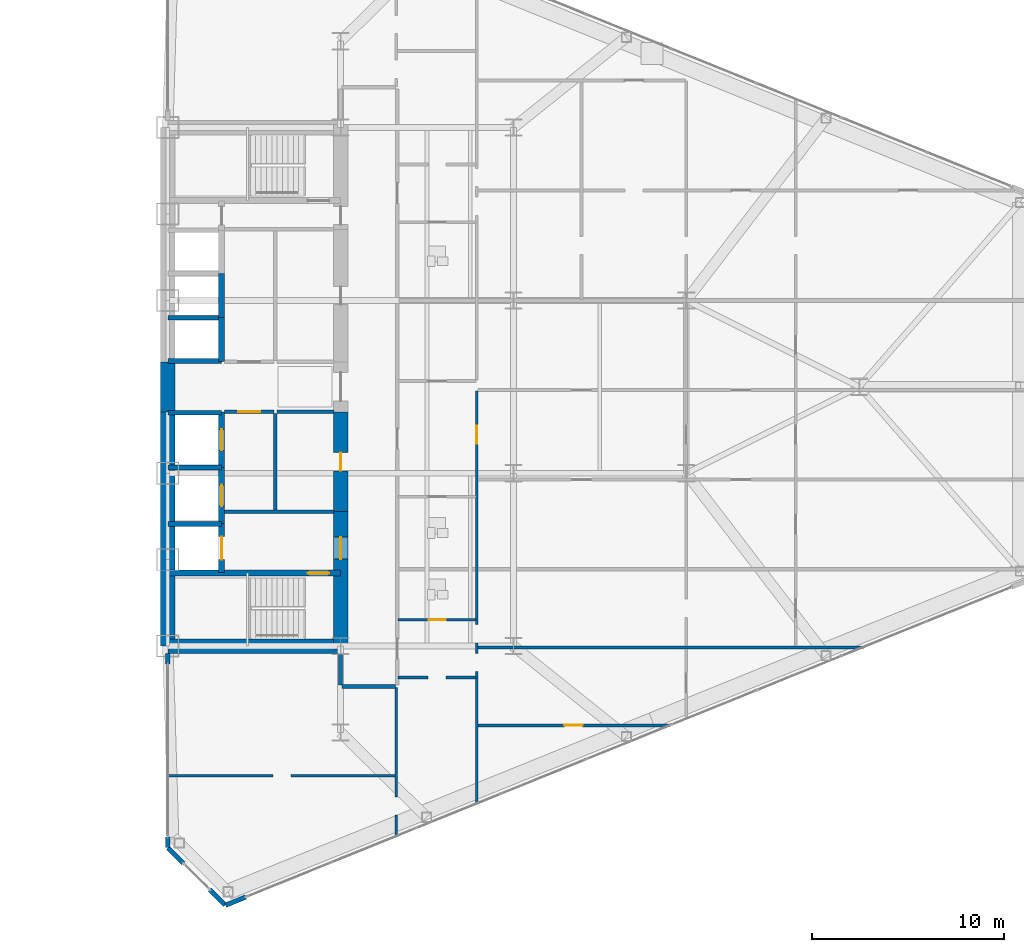
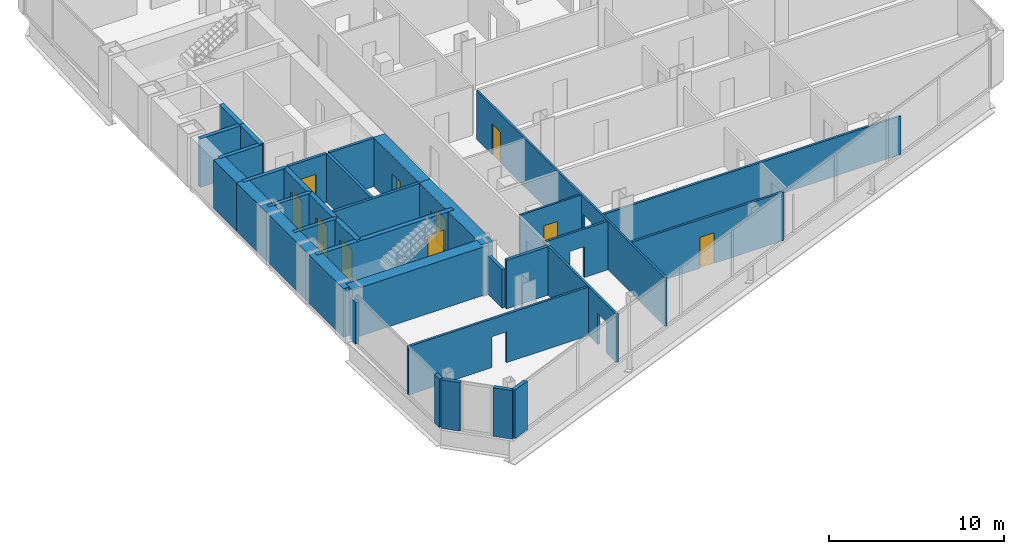
# One storey, part 21 of 26: 34 walls, 10 doors, 15 openings.
"""IFC4 building model written with IfcOpenShell, lengths in metres."""

from ifc_helpers import new_model, si_unit, direction, frame, frame_2d, origin, place, context, subcontext, project, spatial, rectangle, extrude, source, transform, mapped, material, layer, layer_set, type_object, type_shapes, element, fill, save


model = new_model("IFC4")

# Units and contexts
model_context = context("Model", 3, precision=1e-05, world=origin(), true_north=direction((0.0, 1.0)))
body_context = subcontext(model_context, "Body", "Model", "MODEL_VIEW")
ifc_project = project(units=[si_unit("LENGTHUNIT", "METRE"), si_unit("AREAUNIT", "SQUARE_METRE"), si_unit("VOLUMEUNIT", "CUBIC_METRE"), si_unit("PLANEANGLEUNIT", "RADIAN"), si_unit("MASSUNIT", "GRAM", prefix="KILO")], contexts=[model_context])

# Site, building, storey
site_placement = place(None, origin())
site = spatial("IfcSite", under=ifc_project, at=site_placement, CompositionType="ELEMENT")
building_placement = place(site_placement, origin())
building = spatial("IfcBuilding", under=site, at=building_placement, Name="Seokmaru Belvedere", CompositionType="ELEMENT")
storey_placement = place(building_placement, frame((0.0, 0.0, 18.89990234375)))
storey = spatial("IfcBuildingStorey", under=building, at=storey_placement, Name="L04", CompositionType="ELEMENT", Elevation=18.89990234375)

# Wall, opening
ifc_material_1 = material(Name="Fire-Rated Gypsum Shaftwall")
ifc_layer_1 = layer(ifc_material_1, 0.14990234375)
ifc_layer_set_1 = layer_set([ifc_layer_1], Name="Fire-Rated Gypsum Shaftwall")
wall_type_1 = type_object("IfcWallType", Name="Apartment Fire-Acoustic Room Partition 150", PredefinedType="PARTITIONING", material=ifc_layer_set_1)
wall_1_placement = place(storey_placement, frame((27.465087890625, -20.25, 0.0), z_axis=(0.0, 0.0, 1.0), x_axis=(1.0, 0.0, 0.0)))
wall_1 = element("IfcWall", 1, at=wall_1_placement, inside=storey, type_object=wall_type_1, Name="L04 Interior Partition 002", PredefinedType="PARTITIONING", context=body_context, shape_type="SweptSolid", body=[
    extrude(rectangle(XDim=11.885009765625, YDim=0.14990234375, at=frame_2d((5.9423828125, 0.0))), origin(), (0.0, 0.0, 1.0), 3.380126953125),
])
opening_1_placement = place(wall_1_placement, frame((5.510009765625, 0.0, 0.0)))
element("IfcOpeningElement", 2, at=opening_1_placement, cuts=wall_1, Name="L04 Cased Opening 052", PredefinedType="OPENING", context=body_context, shape_type="SweptSolid", body=[
    extrude(rectangle(XDim=0.949951171875, YDim=2.14990234375, at=frame_2d((0.47509765625, 1.074951171875))), frame((0.0, 0.0849609375, 0.0), z_axis=(0.0, -1.0, 0.0), x_axis=(1.0, 0.0, 0.0)), (0.0, 0.0, 1.0), 0.169921875),
])

# Wall, opening, door
wall_2_placement = place(storey_placement, frame((43.64990234375, -17.6298828125, 0.0), z_axis=(0.0, 0.0, 1.0), x_axis=(1.0, 0.0, 0.0)))
wall_2 = element("IfcWall", 3, at=wall_2_placement, inside=storey, type_object=wall_type_1, Name="L04 Interior Partition 004", PredefinedType="PARTITIONING", context=body_context, shape_type="SweptSolid", body=[
    extrude(rectangle(XDim=10.030029296875, YDim=0.14990234375, at=frame_2d((5.01513671875, 0.0))), origin(), (0.0, 0.0, 1.0), 3.380126953125),
])
opening_2_placement = place(wall_2_placement, frame((4.49755859375, 0.0, 0.0)))
opening_2 = element("IfcOpeningElement", 4, at=opening_2_placement, cuts=wall_2, Name="Opening D05", PredefinedType="OPENING", context=body_context, shape_type="SweptSolid", body=[
    extrude(rectangle(XDim=0.949951171875, YDim=2.14990234375, at=frame_2d((0.47509765625, 1.074951171875))), frame((0.0, 0.0849609375, 0.0), z_axis=(0.0, -1.0, 0.0), x_axis=(1.0, 0.0, 0.0)), (0.0, 0.0, 1.0), 0.169921875),
])
ifc_material_2 = material(Name="Engineered White Oak Timber", Category="wood")
door_type_1 = type_object("IfcDoorType", Name="Apartment Interior Fire-Rated Oak Door 950x2150", OperationType="NOTDEFINED", PredefinedType="DOOR", material=ifc_material_2)
shared_shape_1 = source(origin(), body_context, "Body", "SweptSolid", [
    extrude(rectangle(XDim=0.949951171875, YDim=2.14990234375, at=frame_2d((0.47509765625, 1.074951171875))), frame((0.0, 0.02490234375, 0.0), z_axis=(0.0, -1.0, 0.0), x_axis=(1.0, 0.0, 0.0)), (0.0, 0.0, 1.0), 0.050048828125),
])
type_shapes(door_type_1, [shared_shape_1])
door_1_placement = place(opening_2_placement, origin())
door_1 = element("IfcDoor", 5, at=door_1_placement, inside=storey, type_object=door_type_1, Name="L04 Interior Door 048", OperationType="SINGLE_SWING_RIGHT", OverallHeight=2.14990234375, OverallWidth=0.949951171875, PredefinedType="DOOR", context=body_context, shape_type="MappedRepresentation", body=[
    mapped(shared_shape_1, transform((0.0, 0.0, 0.0), scale=1.0)),
])
fill(opening_2, door_1)

# Wall, opening
wall_3_placement = place(storey_placement, frame((39.5, -15.139892578125, 0.0), z_axis=(0.0, 0.0, 1.0), x_axis=(1.0, 0.0, 0.0)))
wall_3 = element("IfcWall", 6, at=wall_3_placement, inside=storey, type_object=wall_type_1, Name="L04 Interior Partition 007", PredefinedType="PARTITIONING", context=body_context, shape_type="SweptSolid", body=[
    extrude(rectangle(XDim=4.050048828125, YDim=0.14990234375, at=frame_2d((2.02490234375, 0.0))), origin(), (0.0, 0.0, 1.0), 3.380126953125),
])
opening_3_placement = place(wall_3_placement, frame((1.550048828125, 0.0, 0.0)))
element("IfcOpeningElement", 7, at=opening_3_placement, cuts=wall_3, Name="L04 Cased Opening 044", PredefinedType="OPENING", context=body_context, shape_type="SweptSolid", body=[
    extrude(rectangle(XDim=0.949951171875, YDim=2.14990234375, at=frame_2d((0.47509765625, 1.074951171875))), frame((0.0, 0.0849609375, 0.0), z_axis=(0.0, -1.0, 0.0), x_axis=(1.0, 0.0, 0.0)), (0.0, 0.0, 1.0), 0.169921875),
])

# Wall
wall_4_placement = place(storey_placement, frame((43.64990234375, -13.570068359375, 0.0), z_axis=(0.0, 0.0, 1.0), x_axis=(1.0, 0.0, 0.0)))
element("IfcWall", 8, at=wall_4_placement, inside=storey, type_object=wall_type_1, Name="L04 Interior Partition 008", PredefinedType="PARTITIONING", context=body_context, shape_type="SweptSolid", body=[
    extrude(rectangle(XDim=20.0751953125, YDim=0.14990234375, at=frame_2d((10.03759765625, 0.0))), origin(), (0.0, 0.0, 1.0), 2.68017578125),
])

# Wall, opening
wall_5_placement = place(storey_placement, frame((39.39990234375, -23.43310546875, 0.0), z_axis=(0.0, 0.0, 1.0), x_axis=(0.0, 1.0, 0.0)))
wall_5 = element("IfcWall", 9, at=wall_5_placement, inside=storey, type_object=wall_type_1, Name="L04 Interior Partition 052", PredefinedType="PARTITIONING", context=body_context, shape_type="SweptSolid", body=[
    extrude(rectangle(XDim=7.783203125, YDim=0.14990234375, at=frame_2d((3.8916015625, 0.0))), origin(), (0.0, 0.0, 1.0), 3.380126953125),
])
opening_4_placement = place(wall_5_placement, frame((1.13427734375, 0.0, 0.0)))
element("IfcOpeningElement", 10, at=opening_4_placement, cuts=wall_5, Name="L04 Cased Opening 051", PredefinedType="OPENING", context=body_context, shape_type="SweptSolid", body=[
    extrude(rectangle(XDim=0.949951171875, YDim=2.14990234375, at=frame_2d((0.47509765625, 1.074951171875))), frame((0.0, 0.0849609375, 0.0), z_axis=(0.0, -1.0, 0.0), x_axis=(1.0, 0.0, 0.0)), (0.0, 0.0, 1.0), 0.169921875),
])

# Walls
ifc_layer_2 = layer(ifc_material_1, 0.179931640625)
ifc_layer_set_2 = layer_set([ifc_layer_2], Name="Fire-Rated Gypsum Shaftwall")
wall_type_2 = type_object("IfcWallType", Name="Core Service Fire Partition 180", PredefinedType="PARTITIONING", material=ifc_layer_set_2)
wall_6_placement = place(storey_placement, frame((30.449951171875, -6.5, 0.0), z_axis=(0.0, 0.0, 1.0), x_axis=(1.0, 0.0, 0.0)))
element("IfcWall", 11, at=wall_6_placement, inside=storey, type_object=wall_type_2, Name="L04 East Firefighting Lobby Partition", PredefinedType="PARTITIONING", context=body_context, shape_type="SweptSolid", body=[
    extrude(rectangle(XDim=5.699951171875, YDim=0.179931640625, at=frame_2d((2.85009765625, 0.0))), origin(), (0.0, 0.0, 1.0), 3.380126953125),
])
wall_7_placement = place(storey_placement, frame((33.10009765625, -6.419921875, 0.0), z_axis=(0.0, 0.0, 1.0), x_axis=(0.0, 1.0, 0.0)))
element("IfcWall", 12, at=wall_7_placement, inside=storey, type_object=wall_type_2, Name="L04 East South Core Service Back Wall", PredefinedType="PARTITIONING", context=body_context, shape_type="SweptSolid", body=[
    extrude(rectangle(XDim=5.0400390625, YDim=0.179931640625, at=frame_2d((2.52001953125, 0.0))), origin(), (0.0, 0.0, 1.0), 3.380126953125),
])

# Wall, opening, door
wall_8_placement = place(storey_placement, frame((30.449951171875, -1.300048828125, 0.0), z_axis=(0.0, 0.0, 1.0), x_axis=(1.0, 0.0, 0.0)))
wall_8 = element("IfcWall", 13, at=wall_8_placement, inside=storey, type_object=wall_type_2, Name="L04 East South Lift Lobby Foyer Wall", PredefinedType="PARTITIONING", context=body_context, shape_type="SweptSolid", body=[
    extrude(rectangle(XDim=2.570068359375, YDim=0.179931640625, at=frame_2d((1.28515625, 0.0))), origin(), (0.0, 0.0, 1.0), 3.380126953125),
])
opening_5_placement = place(wall_8_placement, frame((0.7099609375, 0.0, 0.0)))
opening_5 = element("IfcOpeningElement", 14, at=opening_5_placement, cuts=wall_8, Name="Opening D02", PredefinedType="OPENING", context=body_context, shape_type="SweptSolid", body=[
    extrude(rectangle(XDim=1.14990234375, YDim=2.199951171875, at=frame_2d((0.574951171875, 1.10009765625))), frame((0.0, 0.10009765625, 0.0), z_axis=(0.0, -1.0, 0.0), x_axis=(1.0, 0.0, 0.0)), (0.0, 0.0, 1.0), 0.199951171875),
])
ifc_material_3 = material(Name="Fire-Rated Steel Leaf", Category="steel")
door_type_2 = type_object("IfcDoorType", Name="Lobby and Vestibule Fire Door 1150x2200", OperationType="NOTDEFINED", PredefinedType="DOOR", material=ifc_material_3)
shared_shape_2 = source(origin(), body_context, "Body", "SweptSolid", [
    extrude(rectangle(XDim=1.14990234375, YDim=2.199951171875, at=frame_2d((0.574951171875, 1.10009765625))), frame((0.0, 0.02490234375, 0.0), z_axis=(0.0, -1.0, 0.0), x_axis=(1.0, 0.0, 0.0)), (0.0, 0.0, 1.0), 0.050048828125),
])
type_shapes(door_type_2, [shared_shape_2])
door_2_placement = place(opening_5_placement, origin())
door_2 = element("IfcDoor", 15, at=door_2_placement, inside=storey, type_object=door_type_2, Name="L04 East South Core Foyer Door", OperationType="SINGLE_SWING_RIGHT", OverallHeight=2.199951171875, OverallWidth=1.14990234375, PredefinedType="DOOR", context=body_context, shape_type="MappedRepresentation", body=[
    mapped(shared_shape_2, transform((0.0, 0.0, 0.0), scale=1.0)),
])
fill(opening_5, door_2)

# Walls
wall_9_placement = place(storey_placement, frame((33.199951171875, -1.300048828125, 0.0), z_axis=(0.0, 0.0, 1.0), x_axis=(1.0, 0.0, 0.0)))
element("IfcWall", 16, at=wall_9_placement, inside=storey, type_object=wall_type_2, Name="L04 East Foyer Side Wall S", PredefinedType="PARTITIONING", context=body_context, shape_type="SweptSolid", body=[
    extrude(rectangle(XDim=2.949951171875, YDim=0.179931640625, at=frame_2d((1.47509765625, 0.0))), origin(), (0.0, 0.0, 1.0), 3.380126953125),
])
ifc_material_4 = material(Name="Concrete C50 (50 MPa)", Category="concrete")
ifc_layer_3 = layer(ifc_material_4, 0.25)
ifc_layer_set_3 = layer_set([ifc_layer_3], Name="Concrete C50 (50 MPa)")
wall_type_3 = type_object("IfcWallType", Name="Hoistway Transverse Concrete Divider Wall 250", PredefinedType="SHEAR", material=ifc_layer_set_3)
for number, where, z_axis, x_axis, name in (
    (17, (27.5, -7.14990234375, 0.0), (0.0, 0.0, 1.0), (1.0, 0.0, 0.0), "L04 East Hoistway Divider Core Wall 1"),
    (18, (27.5, -4.199951171875, 0.0), (0.0, 0.0, 1.0), (1.0, 0.0, 0.0), "L04 East Hoistway Divider Core Wall 2"),
    (19, (27.5, -1.35009765625, 0.0), (0.0, 0.0, 1.0), (1.0, 0.0, 0.0), "L04 East Hoistway Divider Core Wall 3"),
    (20, (27.5, 1.35009765625, 0.0), (0.0, 0.0, 1.0), (1.0, 0.0, 0.0), "L04 East Hoistway Divider Core Wall 4"),
    (21, (27.5, 3.60009765625, 0.0), (0.0, 0.0, 1.0), (1.0, 0.0, 0.0), "L04 East Hoistway Divider Core Wall 5"),
):
    element("IfcWall", number, at=place(storey_placement, frame(where, z_axis=z_axis, x_axis=x_axis)), inside=storey, type_object=wall_type_3, Name=name, PredefinedType="SHEAR", context=body_context, shape_type="SweptSolid", body=[
        extrude(rectangle(XDim=2.800048828125, YDim=0.25, at=frame_2d((1.39990234375, 0.0))), origin(), (0.0, 0.0, 1.0), 3.380126953125),
    ])
ifc_layer_4 = layer(ifc_material_1, 0.199951171875)
ifc_layer_set_4 = layer_set([ifc_layer_4], Name="Fire-Rated Gypsum Shaftwall")
wall_type_4 = type_object("IfcWallType", Name="Inter-Tenancy Fire Compartment Partition 200", PredefinedType="PARTITIONING", material=ifc_layer_set_4)
wall_10_placement = place(storey_placement, frame((36.5849609375, -15.60009765625, 0.0), z_axis=(0.0, 0.0, 1.0), x_axis=(1.0, 0.0, 0.0)))
element("IfcWall", 22, at=wall_10_placement, inside=storey, type_object=wall_type_4, Name="L04 Interior Partition 006", PredefinedType="PARTITIONING", context=body_context, shape_type="SweptSolid", body=[
    extrude(rectangle(XDim=2.780029296875, YDim=0.199951171875, at=frame_2d((1.39013671875, 0.0))), origin(), (0.0, 0.0, 1.0), 3.380126953125),
])
wall_11_placement = place(storey_placement, frame((36.5, -15.514892578125, 0.0), z_axis=(0.0, 0.0, 1.0), x_axis=(0.0, 1.0, 0.0)))
element("IfcWall", 23, at=wall_11_placement, inside=storey, type_object=wall_type_4, Name="L04 Interior Partition 050", PredefinedType="PARTITIONING", context=body_context, shape_type="SweptSolid", body=[
    extrude(rectangle(XDim=1.635009765625, YDim=0.199951171875, at=frame_2d((0.8173828125, 0.0))), origin(), (0.0, 0.0, 1.0), 2.68017578125),
])

# Wall, opening, door
ifc_layer_5 = layer(ifc_material_4, 0.300048828125)
ifc_layer_set_5 = layer_set([ifc_layer_5], Name="Concrete C50 (50 MPa)")
wall_type_5 = type_object("IfcWallType", Name="Internal Core Stair and Hoistway Wall 300", PredefinedType="SHEAR", material=ifc_layer_set_5)
wall_12_placement = place(storey_placement, frame((27.5, -9.699951171875, 0.0), z_axis=(0.0, 0.0, 1.0), x_axis=(1.0, 0.0, 0.0)))
wall_12 = element("IfcWall", 24, at=wall_12_placement, inside=storey, type_object=wall_type_5, Name="L04 East Stair ST-1 Enclosure Wall", PredefinedType="SHEAR", context=body_context, shape_type="SweptSolid", body=[
    extrude(rectangle(XDim=9.0, YDim=0.300048828125, at=frame_2d((4.5, 0.0))), origin(), (0.0, 0.0, 1.0), 3.380126953125),
])
opening_6_placement = place(wall_12_placement, frame((7.300048828125, 0.0, 0.0)))
opening_6 = element("IfcOpeningElement", 25, at=opening_6_placement, cuts=wall_12, Name="Opening D01", PredefinedType="OPENING", context=body_context, shape_type="SweptSolid", body=[
    extrude(rectangle(XDim=1.10009765625, YDim=2.199951171875, at=frame_2d((0.550048828125, 1.10009765625))), frame((0.0, 0.16015625, 0.0), z_axis=(0.0, -1.0, 0.0), x_axis=(1.0, 0.0, 0.0)), (0.0, 0.0, 1.0), 0.320068359375),
])
door_type_3 = type_object("IfcDoorType", Name="Special Escape Stair Smokeproof Fire Door 1100x2200", OperationType="NOTDEFINED", PredefinedType="DOOR", material=ifc_material_3)
shared_shape_3 = source(origin(), body_context, "Body", "SweptSolid", [
    extrude(rectangle(XDim=1.10009765625, YDim=2.199951171875, at=frame_2d((0.550048828125, 1.10009765625))), frame((0.0, 0.02490234375, 0.0), z_axis=(0.0, -1.0, 0.0), x_axis=(1.0, 0.0, 0.0)), (0.0, 0.0, 1.0), 0.050048828125),
])
type_shapes(door_type_3, [shared_shape_3])
door_3_placement = place(opening_6_placement, frame((1.10009765625, 0.0, 0.0), z_axis=(0.0, 0.0, 1.0), x_axis=(-1.0, 0.0, 0.0)))
door_3 = element("IfcDoor", 26, at=door_3_placement, inside=storey, type_object=door_type_3, Name="L04 East Special Escape Stair ST-1 Door", OperationType="SINGLE_SWING_RIGHT", OverallHeight=2.199951171875, OverallWidth=1.10009765625, PredefinedType="DOOR", context=body_context, shape_type="MappedRepresentation", body=[
    mapped(shared_shape_3, transform((0.0, 0.0, 0.0), scale=1.0)),
])
fill(opening_6, door_3)

wall_13_placement = place(storey_placement, frame((30.300048828125, -9.679931640625, 0.0), z_axis=(0.0, 0.0, 1.0), x_axis=(0.0, 1.0, 0.0)))
wall_13 = element("IfcWall", 27, at=wall_13_placement, inside=storey, type_object=wall_type_5, Name="L04 East Firefighting Lift Shaft Front Wall", PredefinedType="SHEAR", context=body_context, shape_type="SweptSolid", body=[
    extrude(rectangle(XDim=2.559814453125, YDim=0.300048828125, at=frame_2d((1.27978515625, 0.0))), origin(), (0.0, 0.0, 1.0), 3.380126953125),
])
opening_7_placement = place(wall_13_placement, frame((0.679931640625, 0.0, 0.0)))
opening_7 = element("IfcOpeningElement", 28, at=opening_7_placement, cuts=wall_13, Name="Opening LD2", PredefinedType="OPENING", context=body_context, shape_type="SweptSolid", body=[
    extrude(rectangle(XDim=1.199951171875, YDim=2.25, at=frame_2d((0.60009765625, 1.125))), frame((0.0, 0.16015625, 0.0), z_axis=(0.0, -1.0, 0.0), x_axis=(1.0, 0.0, 0.0)), (0.0, 0.0, 1.0), 0.320068359375),
])
ifc_material_5 = material(Name="Stainless Steel 316", Category="steel")
door_type_4 = type_object("IfcDoorType", Name="Firefighting Lift Sliding Landing Door 1200x2250", OperationType="DOUBLE_DOOR_SLIDING", PredefinedType="DOOR", material=ifc_material_5)
shared_shape_4 = source(origin(), body_context, "Body", "SweptSolid", [
    extrude(rectangle(XDim=1.199951171875, YDim=2.25, at=frame_2d((0.60009765625, 1.125))), frame((0.0, 0.02490234375, 0.0), z_axis=(0.0, -1.0, 0.0), x_axis=(1.0, 0.0, 0.0)), (0.0, 0.0, 1.0), 0.050048828125),
])
type_shapes(door_type_4, [shared_shape_4])
door_4_placement = place(opening_7_placement, origin())
door_4 = element("IfcDoor", 29, at=door_4_placement, inside=storey, type_object=door_type_4, Name="L04 East Firefighting Lift Landing Door", OperationType="DOUBLE_DOOR_SLIDING", OverallHeight=2.25, OverallWidth=1.199951171875, PredefinedType="DOOR", context=body_context, shape_type="MappedRepresentation", body=[
    mapped(shared_shape_4, transform((0.0, 0.0, 0.0), scale=1.0)),
])
fill(opening_7, door_4)

wall_14_placement = place(storey_placement, frame((30.300048828125, -7.1201171875, 0.0), z_axis=(0.0, 0.0, 1.0), x_axis=(0.0, 1.0, 0.0)))
wall_14 = element("IfcWall", 30, at=wall_14_placement, inside=storey, type_object=wall_type_5, Name="L04 East Low-Rise Lift PL-1 Front Wall", PredefinedType="SHEAR", context=body_context, shape_type="SweptSolid", body=[
    extrude(rectangle(XDim=2.920166015625, YDim=0.300048828125, at=frame_2d((1.4599609375, 0.0))), origin(), (0.0, 0.0, 1.0), 3.380126953125),
])
opening_8_placement = place(wall_14_placement, frame((0.909912109375, 0.0, 0.0)))
opening_8 = element("IfcOpeningElement", 31, at=opening_8_placement, cuts=wall_14, Name="Opening LD1", PredefinedType="OPENING", context=body_context, shape_type="SweptSolid", body=[
    extrude(rectangle(XDim=1.10009765625, YDim=2.199951171875, at=frame_2d((0.550048828125, 1.10009765625))), frame((0.0, 0.16015625, 0.0), z_axis=(0.0, -1.0, 0.0), x_axis=(1.0, 0.0, 0.0)), (0.0, 0.0, 1.0), 0.320068359375),
])
door_type_5 = type_object("IfcDoorType", Name="Passenger Lift Sliding Landing Door 1100x2200", OperationType="DOUBLE_DOOR_SLIDING", PredefinedType="DOOR", material=ifc_material_5)
shared_shape_5 = source(origin(), body_context, "Body", "SweptSolid", [
    extrude(rectangle(XDim=1.10009765625, YDim=2.199951171875, at=frame_2d((0.550048828125, 1.10009765625))), frame((0.0, 0.02490234375, 0.0), z_axis=(0.0, -1.0, 0.0), x_axis=(1.0, 0.0, 0.0)), (0.0, 0.0, 1.0), 0.050048828125),
])
type_shapes(door_type_5, [shared_shape_5])
door_5_placement = place(opening_8_placement, origin())
door_5 = element("IfcDoor", 32, at=door_5_placement, inside=storey, type_object=door_type_5, Name="L04 East Low-Rise Lift PL-1 Landing Door", OperationType="DOUBLE_DOOR_SLIDING", OverallHeight=2.199951171875, OverallWidth=1.10009765625, PredefinedType="DOOR", context=body_context, shape_type="MappedRepresentation", body=[
    mapped(shared_shape_5, transform((0.0, 0.0, 0.0), scale=1.0)),
])
fill(opening_8, door_5)

wall_15_placement = place(storey_placement, frame((30.300048828125, -4.199951171875, 0.0), z_axis=(0.0, 0.0, 1.0), x_axis=(0.0, 1.0, 0.0)))
wall_15 = element("IfcWall", 33, at=wall_15_placement, inside=storey, type_object=wall_type_5, Name="L04 East Low-Rise Lift PL-2 Front Wall", PredefinedType="SHEAR", context=body_context, shape_type="SweptSolid", body=[
    extrude(rectangle(XDim=2.8798828125, YDim=0.300048828125, at=frame_2d((1.43994140625, 0.0))), origin(), (0.0, 0.0, 1.0), 3.380126953125),
])
opening_9_placement = place(wall_15_placement, frame((0.889892578125, 0.0, 0.0)))
opening_9 = element("IfcOpeningElement", 34, at=opening_9_placement, cuts=wall_15, Name="Opening LD1", PredefinedType="OPENING", context=body_context, shape_type="SweptSolid", body=[
    extrude(rectangle(XDim=1.10009765625, YDim=2.199951171875, at=frame_2d((0.550048828125, 1.10009765625))), frame((0.0, 0.16015625, 0.0), z_axis=(0.0, -1.0, 0.0), x_axis=(1.0, 0.0, 0.0)), (0.0, 0.0, 1.0), 0.320068359375),
])
door_6_placement = place(opening_9_placement, origin())
door_6 = element("IfcDoor", 35, at=door_6_placement, inside=storey, type_object=door_type_5, Name="L04 East Low-Rise Lift PL-2 Landing Door", OperationType="DOUBLE_DOOR_SLIDING", OverallHeight=2.199951171875, OverallWidth=1.10009765625, PredefinedType="DOOR", context=body_context, shape_type="MappedRepresentation", body=[
    mapped(shared_shape_5, transform((0.0, 0.0, 0.0), scale=1.0)),
])
fill(opening_9, door_6)

# Walls
wall_16_placement = place(storey_placement, frame((30.300048828125, 1.320068359375, 0.0), z_axis=(0.0, 0.0, 1.0), x_axis=(0.0, 1.0, 0.0)))
element("IfcWall", 36, at=wall_16_placement, inside=storey, type_object=wall_type_5, Name="L04 East North Hoistway Wall PH1", PredefinedType="SHEAR", context=body_context, shape_type="SweptSolid", body=[
    extrude(rectangle(XDim=2.280029296875, YDim=0.300048828125, at=frame_2d((1.14013671875, 0.0))), origin(), (0.0, 0.0, 1.0), 3.380126953125),
])
wall_17_placement = place(storey_placement, frame((30.300048828125, 3.60009765625, 0.0), z_axis=(0.0, 0.0, 1.0), x_axis=(0.0, 1.0, 0.0)))
element("IfcWall", 37, at=wall_17_placement, inside=storey, type_object=wall_type_5, Name="L04 East North Hoistway Wall PH2", PredefinedType="SHEAR", context=body_context, shape_type="SweptSolid", body=[
    extrude(rectangle(XDim=2.2998046875, YDim=0.300048828125, at=frame_2d((1.14990234375, 0.0))), origin(), (0.0, 0.0, 1.0), 3.380126953125),
])
ifc_material_6 = material(Name="Concrete C60 (60 MPa)", Category="concrete")
ifc_layer_6 = layer(ifc_material_6, 0.75)
ifc_layer_set_6 = layer_set([ifc_layer_6], Name="Concrete C60 (60 MPa)")
wall_type_6 = type_object("IfcWallType", Name="Lower Tower Reinforced Concrete Core Wall 750", PredefinedType="SHEAR", material=ifc_layer_set_6)
wall_18_placement = place(storey_placement, frame((27.5, -13.5, 0.0), z_axis=(0.0, 0.0, 1.0), x_axis=(0.0, 1.0, 0.0)))
element("IfcWall", 38, at=wall_18_placement, inside=storey, type_object=wall_type_6, Name="L04 East Portal Spine Core Wall South", PredefinedType="SHEAR", context=body_context, shape_type="SweptSolid", body=[
    extrude(rectangle(XDim=12.199951171875, YDim=0.75, at=frame_2d((6.10009765625, 0.0))), origin(), (0.0, 0.0, 1.0), 3.380126953125),
])
wall_19_placement = place(storey_placement, frame((27.5, -1.300048828125, 0.0), z_axis=(0.0, 0.0, 1.0), x_axis=(0.0, 1.0, 0.0)))
element("IfcWall", 39, at=wall_19_placement, inside=storey, type_object=wall_type_6, Name="L04 East Portal Spine Core Wall Center", PredefinedType="SHEAR", context=body_context, shape_type="SweptSolid", body=[
    extrude(rectangle(XDim=2.60009765625, YDim=0.75, at=frame_2d((1.300048828125, 0.0))), origin(), (0.0, 0.0, 1.0), 3.380126953125),
])
wall_20_placement = place(storey_placement, frame((27.5, -13.5, 0.0), z_axis=(0.0, 0.0, 1.0), x_axis=(1.0, 0.0, 0.0)))
element("IfcWall", 40, at=wall_20_placement, inside=storey, type_object=wall_type_6, Name="L04 East South Core Wall", PredefinedType="SHEAR", context=body_context, shape_type="SweptSolid", body=[
    extrude(rectangle(XDim=9.0, YDim=0.75, at=frame_2d((4.5, 0.0))), origin(), (0.0, 0.0, 1.0), 3.380126953125),
])

# Wall, opening, door
wall_21_placement = place(storey_placement, frame((36.5, -13.64990234375, 0.0), z_axis=(0.0, 0.0, 1.0), x_axis=(0.0, 1.0, 0.0)))
wall_21 = element("IfcWall", 41, at=wall_21_placement, inside=storey, type_object=wall_type_6, Name="L04 East West Core Wall FF", PredefinedType="SHEAR", context=body_context, shape_type="SweptSolid", body=[
    extrude(rectangle(XDim=7.14990234375, YDim=0.75, at=frame_2d((3.574951171875, 0.0))), origin(), (0.0, 0.0, 1.0), 3.380126953125),
])
opening_10_placement = place(wall_21_placement, frame((4.675048828125, 0.0, 0.0)))
opening_10 = element("IfcOpeningElement", 42, at=opening_10_placement, cuts=wall_21, Name="Opening D02", PredefinedType="OPENING", context=body_context, shape_type="SweptSolid", body=[
    extrude(rectangle(XDim=1.14990234375, YDim=2.199951171875, at=frame_2d((0.574951171875, 1.10009765625))), frame((0.0, 0.385009765625, 0.0), z_axis=(0.0, -1.0, 0.0), x_axis=(1.0, 0.0, 0.0)), (0.0, 0.0, 1.0), 0.77001953125),
])
door_7_placement = place(opening_10_placement, origin())
door_7 = element("IfcDoor", 43, at=door_7_placement, inside=storey, type_object=door_type_2, Name="L04 East Firefighting Lobby Door", OperationType="SINGLE_SWING_RIGHT", OverallHeight=2.199951171875, OverallWidth=1.14990234375, PredefinedType="DOOR", context=body_context, shape_type="MappedRepresentation", body=[
    mapped(shared_shape_2, transform((0.0, 0.0, 0.0), scale=1.0)),
])
fill(opening_10, door_7)

wall_22_placement = place(storey_placement, frame((36.5, -6.5, 0.0), z_axis=(0.0, 0.0, 1.0), x_axis=(0.0, 1.0, 0.0)))
wall_22 = element("IfcWall", 44, at=wall_22_placement, inside=storey, type_object=wall_type_6, Name="L04 East West Core Wall CS1", PredefinedType="SHEAR", context=body_context, shape_type="SweptSolid", body=[
    extrude(rectangle(XDim=5.199951171875, YDim=0.75, at=frame_2d((2.60009765625, 0.0))), origin(), (0.0, 0.0, 1.0), 3.380126953125),
])
opening_11_placement = place(wall_22_placement, frame((2.125, 0.0, 0.0)))
opening_11 = element("IfcOpeningElement", 45, at=opening_11_placement, cuts=wall_22, Name="Opening D04", PredefinedType="OPENING", context=body_context, shape_type="SweptSolid", body=[
    extrude(rectangle(XDim=0.949951171875, YDim=2.14990234375, at=frame_2d((0.47509765625, 1.074951171875))), frame((0.0, 0.385009765625, 0.0), z_axis=(0.0, -1.0, 0.0), x_axis=(1.0, 0.0, 0.0)), (0.0, 0.0, 1.0), 0.77001953125),
])
door_type_6 = type_object("IfcDoorType", Name="Core Service Room Fire Door 950x2150", OperationType="NOTDEFINED", PredefinedType="DOOR", material=ifc_material_3)
shared_shape_6 = source(origin(), body_context, "Body", "SweptSolid", [
    extrude(rectangle(XDim=0.949951171875, YDim=2.14990234375, at=frame_2d((0.47509765625, 1.074951171875))), frame((0.0, 0.02490234375, 0.0), z_axis=(0.0, -1.0, 0.0), x_axis=(1.0, 0.0, 0.0)), (0.0, 0.0, 1.0), 0.050048828125),
])
type_shapes(door_type_6, [shared_shape_6])
door_8_placement = place(opening_11_placement, origin())
door_8 = element("IfcDoor", 46, at=door_8_placement, inside=storey, type_object=door_type_6, Name="L04 East Core Service Room Door 1", OperationType="SINGLE_SWING_RIGHT", OverallHeight=2.14990234375, OverallWidth=0.949951171875, PredefinedType="DOOR", context=body_context, shape_type="MappedRepresentation", body=[
    mapped(shared_shape_6, transform((0.0, 0.0, 0.0), scale=1.0)),
])
fill(opening_11, door_8)

ifc_layer_7 = layer(ifc_material_1, 0.1298828125)
ifc_layer_set_7 = layer_set([ifc_layer_7], Name="Fire-Rated Gypsum Shaftwall")
wall_type_7 = type_object("IfcWallType", Name="Moisture-Resistant Fire-Rated Bathroom Partition 130", PredefinedType="PARTITIONING", material=ifc_layer_set_7)
wall_23_placement = place(storey_placement, frame((39.5, -12.139892578125, 0.0), z_axis=(0.0, 0.0, 1.0), x_axis=(1.0, 0.0, 0.0)))
wall_23 = element("IfcWall", 47, at=wall_23_placement, inside=storey, type_object=wall_type_7, Name="L04 Interior Partition 011", PredefinedType="PARTITIONING", context=body_context, shape_type="SweptSolid", body=[
    extrude(rectangle(XDim=4.050048828125, YDim=0.1298828125, at=frame_2d((2.02490234375, 0.0))), origin(), (0.0, 0.0, 1.0), 3.380126953125),
])
opening_12_placement = place(wall_23_placement, frame((1.5849609375, 0.0, 0.0)))
opening_12 = element("IfcOpeningElement", 48, at=opening_12_placement, cuts=wall_23, Name="Opening D06", PredefinedType="OPENING", context=body_context, shape_type="SweptSolid", body=[
    extrude(rectangle(XDim=0.8798828125, YDim=2.10009765625, at=frame_2d((0.43994140625, 1.050048828125))), frame((0.0, 0.074951171875, 0.0), z_axis=(0.0, -1.0, 0.0), x_axis=(1.0, 0.0, 0.0)), (0.0, 0.0, 1.0), 0.14990234375),
])
door_type_7 = type_object("IfcDoorType", Name="Bathroom and Restroom Fire-Rated Door 880x2100", OperationType="NOTDEFINED", PredefinedType="DOOR", material=ifc_material_2)
shared_shape_7 = source(origin(), body_context, "Body", "SweptSolid", [
    extrude(rectangle(XDim=0.8798828125, YDim=2.10009765625, at=frame_2d((0.43994140625, 1.050048828125))), frame((0.0, 0.02490234375, 0.0), z_axis=(0.0, -1.0, 0.0), x_axis=(1.0, 0.0, 0.0)), (0.0, 0.0, 1.0), 0.050048828125),
])
type_shapes(door_type_7, [shared_shape_7])
door_9_placement = place(opening_12_placement, origin())
door_9 = element("IfcDoor", 49, at=door_9_placement, inside=storey, type_object=door_type_7, Name="L04 Interior Door 043", OperationType="SINGLE_SWING_RIGHT", OverallHeight=2.10009765625, OverallWidth=0.8798828125, PredefinedType="DOOR", context=body_context, shape_type="MappedRepresentation", body=[
    mapped(shared_shape_7, transform((0.0, 0.0, 0.0), scale=1.0)),
])
fill(opening_12, door_9)

# Wall, openings, door
wall_24_placement = place(storey_placement, frame((43.60009765625, -21.73291015625, 0.0), z_axis=(0.0, 0.0, 1.0), x_axis=(0.0, 1.0, 0.0)))
wall_24 = element("IfcWall", 50, at=wall_24_placement, inside=storey, type_object=wall_type_7, Name="L04 Interior Partition 055", PredefinedType="PARTITIONING", context=body_context, shape_type="SweptSolid", body=[
    extrude(rectangle(XDim=21.515869140625, YDim=0.1298828125, at=frame_2d((10.7578125, 0.0))), origin(), (0.0, 0.0, 1.0), 3.380126953125),
])
opening_13_placement = place(wall_24_placement, frame((6.902587890625, 0.0, 0.0)))
element("IfcOpeningElement", 51, at=opening_13_placement, cuts=wall_24, Name="L04 Cased Opening 045", PredefinedType="OPENING", context=body_context, shape_type="SweptSolid", body=[
    extrude(rectangle(XDim=0.949951171875, YDim=2.14990234375, at=frame_2d((0.47509765625, 1.074951171875))), frame((0.0, 0.074951171875, 0.0), z_axis=(0.0, -1.0, 0.0), x_axis=(1.0, 0.0, 0.0)), (0.0, 0.0, 1.0), 0.14990234375),
])
opening_14_placement = place(wall_24_placement, frame((8.402587890625, 0.0, 0.0)))
element("IfcOpeningElement", 52, at=opening_14_placement, cuts=wall_24, Name="L04 Cased Opening 046", PredefinedType="OPENING", context=body_context, shape_type="SweptSolid", body=[
    extrude(rectangle(XDim=0.949951171875, YDim=2.14990234375, at=frame_2d((0.47509765625, 1.074951171875))), frame((0.0, 0.074951171875, 0.0), z_axis=(0.0, -1.0, 0.0), x_axis=(1.0, 0.0, 0.0)), (0.0, 0.0, 1.0), 0.14990234375),
])
opening_15_placement = place(wall_24_placement, frame((18.758056640625, 0.0, 0.0)))
opening_15 = element("IfcOpeningElement", 53, at=opening_15_placement, cuts=wall_24, Name="Opening D05", PredefinedType="OPENING", context=body_context, shape_type="SweptSolid", body=[
    extrude(rectangle(XDim=0.949951171875, YDim=2.14990234375, at=frame_2d((0.47509765625, 1.074951171875))), frame((0.0, 0.074951171875, 0.0), z_axis=(0.0, -1.0, 0.0), x_axis=(1.0, 0.0, 0.0)), (0.0, 0.0, 1.0), 0.14990234375),
])
door_10_placement = place(opening_15_placement, origin())
door_10 = element("IfcDoor", 54, at=door_10_placement, inside=storey, type_object=door_type_1, Name="L04 Interior Door 056", OperationType="SINGLE_SWING_LEFT", OverallHeight=2.14990234375, OverallWidth=0.949951171875, PredefinedType="DOOR", context=body_context, shape_type="MappedRepresentation", body=[
    mapped(shared_shape_1, transform((0.0, 0.0, 0.0), scale=1.0)),
])
fill(opening_15, door_10)

# Walls
ifc_material_7 = material(Name="Anodised Bronze Aluminium", Category="aluminium")
ifc_layer_8 = layer(ifc_material_7, 0.239990234375)
ifc_layer_set_8 = layer_set([ifc_layer_8], Name="Anodised Bronze Aluminium")
wall_type_8 = type_object("IfcWallType", Name="Tower Corner Spandrel Closure Wall 240", PredefinedType="SOLIDWALL", material=ifc_layer_set_8)
wall_25_placement = place(storey_placement, frame((30.50927734375, -26.99609375, 0.0), z_axis=(0.0, 0.0, 1.0), x_axis=(0.927007103665, 0.375043770452, 0.0)))
element("IfcWall", 55, at=wall_25_placement, inside=storey, type_object=wall_type_8, Name="L04 E Corner Closure Pier 1A", PredefinedType="SOLIDWALL", context=body_context, shape_type="SweptSolid", body=[
    extrude(rectangle(XDim=1.139892578125, YDim=0.239990234375, at=frame_2d((0.56982421875, 0.0))), origin(), (0.0, 0.0, 1.0), 3.380126953125),
])
wall_26_placement = place(storey_placement, frame((27.5, -23.97998046875, 0.0), z_axis=(0.0, 0.0, 1.0), x_axis=(0.0, 1.0, 0.0)))
element("IfcWall", 56, at=wall_26_placement, inside=storey, type_object=wall_type_8, Name="L04 E Spine Closure Pier 1A", PredefinedType="SOLIDWALL", context=body_context, shape_type="SweptSolid", body=[
    extrude(rectangle(XDim=0.550048828125, YDim=0.239990234375, at=frame_2d((0.27490234375, 0.0))), origin(), (0.0, 0.0, 1.0), 3.380126953125),
])
wall_27_placement = place(storey_placement, frame((27.5, -14.429931640625, 0.0), z_axis=(0.0, 0.0, 1.0), x_axis=(0.0, 1.0, 0.0)))
element("IfcWall", 57, at=wall_27_placement, inside=storey, type_object=wall_type_8, Name="L04 E Spine Closure Pier 1B", PredefinedType="SOLIDWALL", context=body_context, shape_type="SweptSolid", body=[
    extrude(rectangle(XDim=0.550048828125, YDim=0.239990234375, at=frame_2d((0.27490234375, 0.0))), origin(), (0.0, 0.0, 1.0), 2.880126953125),
])
for number, where, z_axis, x_axis, name in (
    (58, (27.507080078125, -24.007080078125, 0.0), (0.0, 0.0, 1.0), (0.707106781187, -0.707106781187, 0.0), "L04 E Corner Closure Pier 6A"),
    (59, (29.686767578125, -26.186767578125, 0.0), (0.0, 0.0, 1.0), (0.707106781187, -0.707106781187, 0.0), "L04 E Corner Closure Pier 6B"),
):
    element("IfcWall", number, at=place(storey_placement, frame(where, z_axis=z_axis, x_axis=x_axis)), inside=storey, type_object=wall_type_8, Name=name, PredefinedType="SOLIDWALL", context=body_context, shape_type="SweptSolid", body=[
        extrude(rectangle(XDim=1.14013671875, YDim=0.239990234375, at=frame_2d((0.570068359375, 0.0))), origin(), (0.0, 0.0, 1.0), 3.380126953125),
    ])

save(model, "model.ifc")
